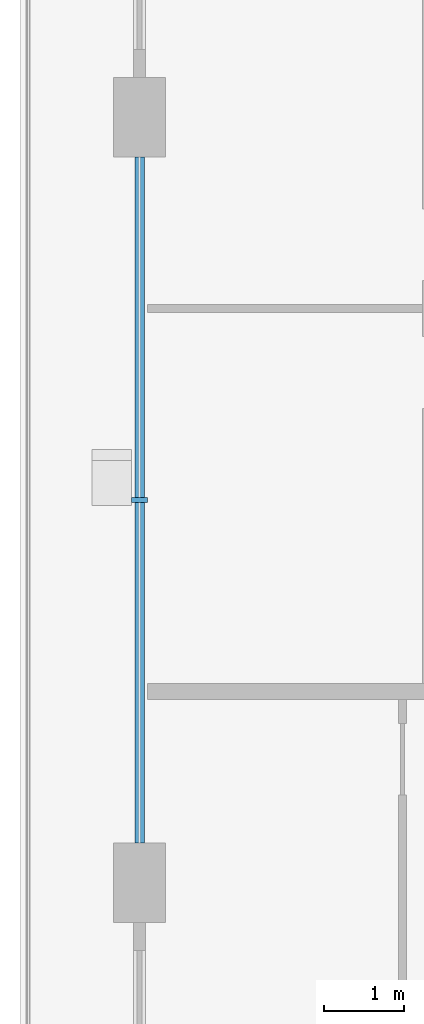
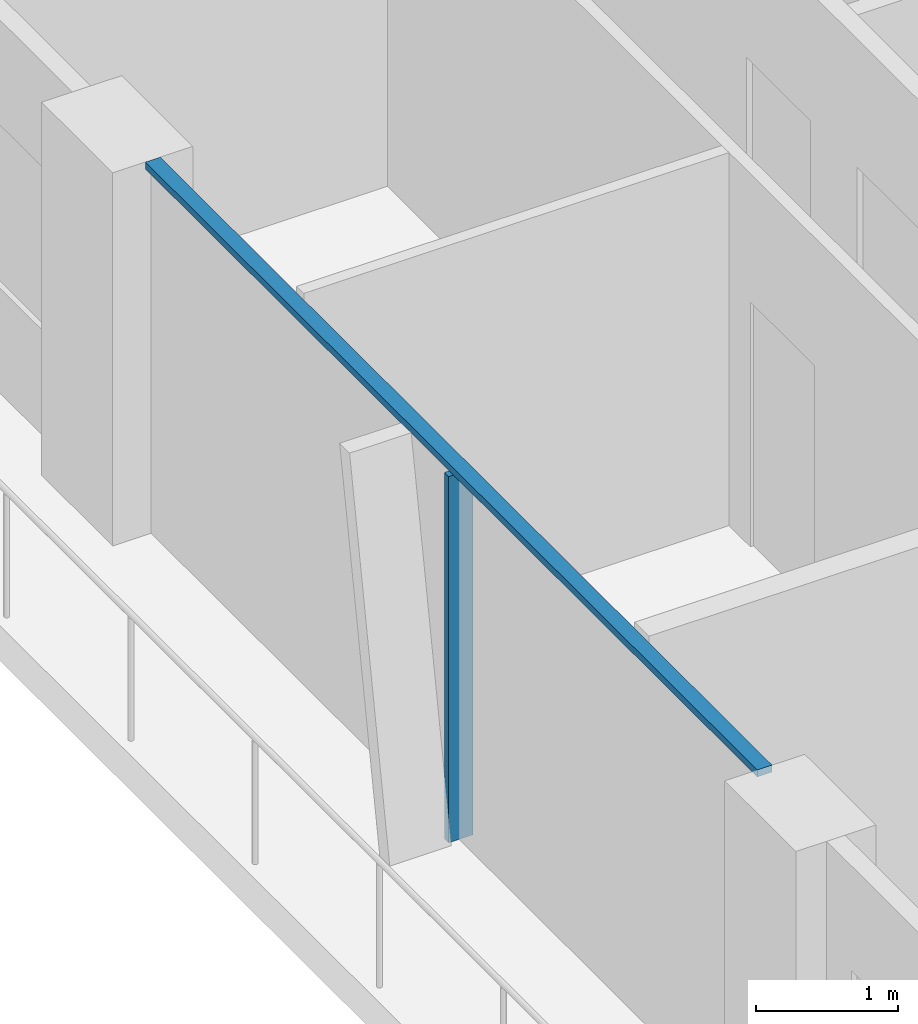
# One storey, part 3 of 22: 2 members, 1 element without a shape of its own.
"""IFC4 building model written with IfcOpenShell, lengths in metres."""

from ifc_helpers import new_model, si_unit, direction, frame, origin, origin_2d, place, context, subcontext, project, spatial, rectangle, extrude, material, layer, layer_set, material_profile, profile_set, type_object, element, aggregate, save


model = new_model("IFC4")

# Units and contexts
model_context = context("Model", 3, precision=1e-05, world=origin(), true_north=direction((0.0, 1.0)))
body_context = subcontext(model_context, "Body", "Model", "MODEL_VIEW")
ifc_project = project(units=[si_unit("LENGTHUNIT", "METRE"), si_unit("AREAUNIT", "SQUARE_METRE"), si_unit("VOLUMEUNIT", "CUBIC_METRE"), si_unit("PLANEANGLEUNIT", "RADIAN"), si_unit("MASSUNIT", "GRAM", prefix="KILO")], contexts=[model_context])

# Site, building, storey
site_placement = place(None, origin())
site = spatial("IfcSite", under=ifc_project, at=site_placement, CompositionType="ELEMENT")
building_placement = place(site_placement, origin())
building = spatial("IfcBuilding", under=site, at=building_placement, Name="Madar Terraces", CompositionType="ELEMENT")
storey_placement = place(building_placement, frame((0.0, 0.0, 189.39990234375)))
storey = spatial("IfcBuildingStorey", under=building, at=storey_placement, Name="L49", CompositionType="ELEMENT", Elevation=189.39990234375)

# Curtain wall, members
ifc_material_1 = material(Name="Glass, ceramic frit dark grey, with black aluminium frame", Category="aluminium")
ifc_layer = layer(ifc_material_1, 0.199951171875)
ifc_layer_set = layer_set([ifc_layer], Name="Facade curtain wall, fritted glass")
curtain_wall_type = type_object("IfcCurtainWallType", Name="Facade curtain wall, fritted glass", PredefinedType="NOTDEFINED", material=ifc_layer_set)
curtain_wall_placement = place(storey_placement, origin())
curtain_wall = element("IfcCurtainWall", 1, at=curtain_wall_placement, inside=storey, type_object=curtain_wall_type, Name="Outer skin curtain wall west bay 2", PredefinedType="NOTDEFINED")
ifc_material_2 = material(Name="Aluminium, black anodised", Category="aluminium")
ifc_material_profile_1 = material_profile(ifc_material_2, rectangle(XDim=0.199951171875, YDim=0.06005859375, at=origin_2d()), Name="Facade mullion 60x200")
ifc_profile_set_1 = profile_set([ifc_material_profile_1], Name="Aluminium, black anodised")
member_type_1 = type_object("IfcMemberType", Name="Facade mullion 60x200", PredefinedType="MULLION", material=ifc_profile_set_1)
member_1_placement = place(storey_placement, frame((4.800048828125, 28.800048828125, 0.0), z_axis=(0.0, 0.0, 1.0), x_axis=(1.0, 0.0, 0.0)))
member_1 = element("IfcMember", 2, at=member_1_placement, type_object=member_type_1, Name="Mullion 1", PredefinedType="MULLION", context=body_context, shape_type="SweptSolid", body=[
    extrude(rectangle(XDim=0.199951171875, YDim=0.06005859375, at=origin_2d()), origin(), (0.0, 0.0, 1.0), 3.14013671875),
])
ifc_material_3 = material(Name="Aluminium, black anodised", Category="aluminium")
ifc_material_profile_2 = material_profile(ifc_material_3, rectangle(XDim=0.1201171875, YDim=0.06005859375, at=origin_2d()), Name="Facade transom 60x120")
ifc_profile_set_2 = profile_set([ifc_material_profile_2], Name="Aluminium, black anodised")
member_type_2 = type_object("IfcMemberType", Name="Facade transom 60x120", PredefinedType="USERDEFINED", material=ifc_profile_set_2)
member_2_placement = place(storey_placement, frame((4.800048828125, 33.10009765625, 3.170166015625), z_axis=(0.0, -1.0, 0.0), x_axis=(1.0, 0.0, 0.0)))
member_2 = element("IfcMember", 3, at=member_2_placement, type_object=member_type_2, Name="Transom 1", ObjectType="TRANSOM", PredefinedType="USERDEFINED", context=body_context, shape_type="SweptSolid", body=[
    extrude(rectangle(XDim=0.1201171875, YDim=0.06005859375, at=origin_2d()), origin(), (0.0, 0.0, 1.0), 8.60009765625),
])
aggregate(curtain_wall, [member_1, member_2])

save(model, "model.ifc")
